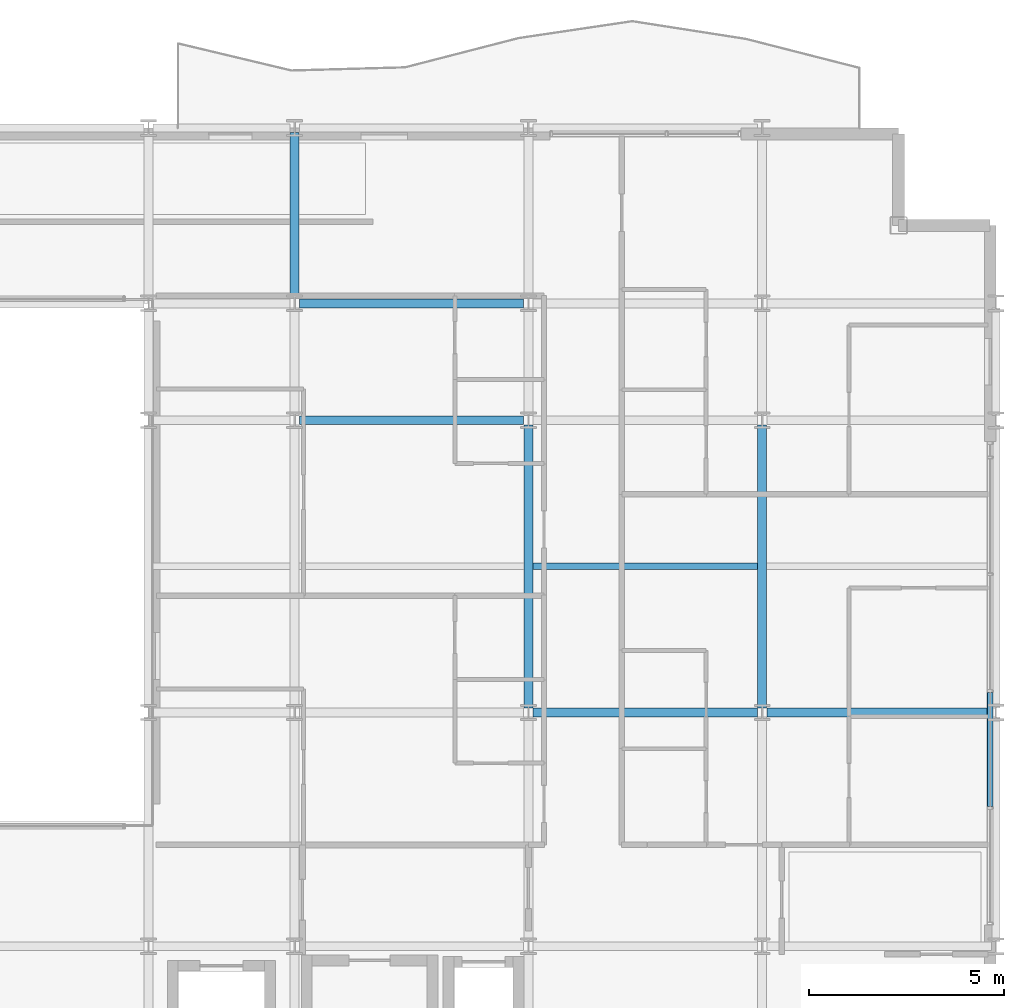
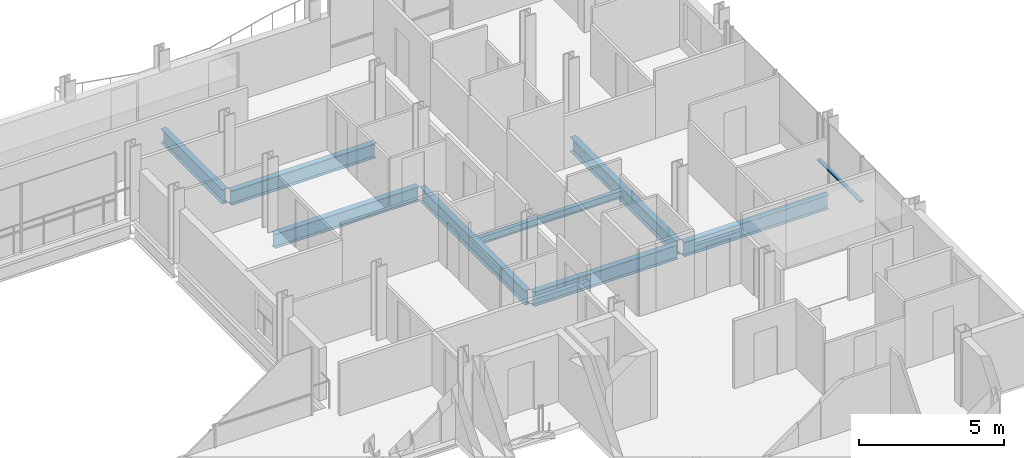
# One storey, part 18 of 40: 8 beams, 1 member, 1 element without a shape of its own.
"""IFC4 building model written with IfcOpenShell, lengths in metres."""

from ifc_helpers import new_model, si_unit, direction, frame, origin, origin_2d, place, context, subcontext, project, spatial, hollow_rectangle, i_section, extrude, material, layer, layer_set, material_profile, profile_set, type_object, element, aggregate, save


model = new_model("IFC4")

# Units and contexts
model_context = context("Model", 3, precision=1e-05, world=origin(), true_north=direction((0.0, 1.0)))
body_context = subcontext(model_context, "Body", "Model", "MODEL_VIEW")
ifc_project = project(units=[si_unit("LENGTHUNIT", "METRE"), si_unit("AREAUNIT", "SQUARE_METRE"), si_unit("VOLUMEUNIT", "CUBIC_METRE"), si_unit("PLANEANGLEUNIT", "RADIAN"), si_unit("MASSUNIT", "GRAM", prefix="KILO")], contexts=[model_context])

# Site, building, storey
site_placement = place(None, origin())
site = spatial("IfcSite", under=ifc_project, at=site_placement, CompositionType="ELEMENT")
building_placement = place(site_placement, origin())
building = spatial("IfcBuilding", under=site, at=building_placement, Name="Brevholm Reach", CompositionType="ELEMENT")
storey_placement = place(building_placement, frame((0.0, 0.0, 131.39990234375)))
storey = spatial("IfcBuildingStorey", under=building, at=storey_placement, Name="L39", CompositionType="ELEMENT", Elevation=131.39990234375)

# Beams
ifc_material_1 = material(Name="Structural Steel S355J2", Category="steel")
ifc_material_profile_1 = material_profile(ifc_material_1, i_section(OverallWidth=0.1650390625, OverallDepth=0.303466796875, WebThickness=0.006103515625, FlangeThickness=0.01025390625, FilletRadius=0.0087890625, at=origin_2d()), Name="UKB 305x165x40")
ifc_profile_set_1 = profile_set([ifc_material_profile_1], Name="Structural Steel S355J2")
beam_type_1 = type_object("IfcBeamType", Name="BM-B305", PredefinedType="BEAM", material=ifc_profile_set_1)
beam_1_placement = place(storey_placement, frame((48.114501953125, 19.75, -0.37158203125), z_axis=(1.0, 0.0, 0.0), x_axis=(0.0, 1.0, 0.0)))
element("IfcBeam", 1, at=beam_1_placement, inside=storey, type_object=beam_type_1, Name="L39 Composite Secondary Floor Beam", PredefinedType="BEAM", context=body_context, shape_type="SweptSolid", body=[
    extrude(i_section(OverallWidth=0.1650390625, OverallDepth=0.303466796875, WebThickness=0.006103515625, FlangeThickness=0.01025390625, FilletRadius=0.0087890625, at=origin_2d()), origin(), (0.0, 0.0, 1.0), 5.77099609375),
])
ifc_material_2 = material(Name="Structural Steel S355J2", Category="steel")
ifc_material_profile_2 = material_profile(ifc_material_2, i_section(OverallWidth=0.22900390625, OverallDepth=0.6123046875, WebThickness=0.011962890625, FlangeThickness=0.01953125, FilletRadius=0.0126953125, at=origin_2d()), Name="UKB 610x229x125")
ifc_profile_set_2 = profile_set([ifc_material_profile_2], Name="Structural Steel S355J2")
beam_type_2 = type_object("IfcBeamType", Name="BM-SP610", PredefinedType="SPANDREL", material=ifc_profile_set_2)
for number, where, z_axis, x_axis, name in (
    (2, (48.1201171875, 16.0, -0.526123046875), (1.0, 0.0, 0.0), (0.0, 1.0, 0.0), "L39 SP-01 Framing Beam"),
    (3, (54.1201171875, 16.0, -0.526123046875), (1.0, 0.0, 0.0), (0.0, 1.0, 0.0), "L39 SP-01 Framing Beam"),
    (4, (42.1201171875, 23.5, -0.526123046875), (1.0, 0.0, 0.0), (0.0, 1.0, 0.0), "L39 SP-01 Framing Beam"),
    (5, (42.1201171875, 26.5, -0.526123046875), (1.0, 0.0, 0.0), (0.0, 1.0, 0.0), "L39 SP-01 Framing Beam"),
):
    element("IfcBeam", number, at=place(storey_placement, frame(where, z_axis=z_axis, x_axis=x_axis)), inside=storey, type_object=beam_type_2, Name=name, PredefinedType="SPANDREL", context=body_context, shape_type="SweptSolid", body=[
        extrude(i_section(OverallWidth=0.22900390625, OverallDepth=0.6123046875, WebThickness=0.011962890625, FlangeThickness=0.01953125, FilletRadius=0.0126953125, at=origin_2d()), origin(), (0.0, 0.0, 1.0), 5.759765625),
    ])
beam_2_placement = place(storey_placement, frame((42.0, 26.6201171875, -0.526123046875), z_axis=(0.0, 1.0, 0.0), x_axis=(-1.0, 0.0, 0.0)))
element("IfcBeam", 6, at=beam_2_placement, inside=storey, type_object=beam_type_2, Name="L39 SP-01 Framing Beam", PredefinedType="SPANDREL", context=body_context, shape_type="SweptSolid", body=[
    extrude(i_section(OverallWidth=0.22900390625, OverallDepth=0.6123046875, WebThickness=0.011962890625, FlangeThickness=0.01953125, FilletRadius=0.0126953125, at=origin_2d()), origin(), (0.0, 0.0, 1.0), 4.259765625),
])
for number, where, z_axis, x_axis, name in (
    (7, (48.0, 16.1201171875, -0.526123046875), (0.0, 1.0, 0.0), (-1.0, 0.0, 0.0), "L39 SP-01 Framing Beam"),
    (8, (54.0, 16.1201171875, -0.526123046875), (0.0, 1.0, 0.0), (-1.0, 0.0, 0.0), "L39 SP-01 Framing Beam"),
):
    element("IfcBeam", number, at=place(storey_placement, frame(where, z_axis=z_axis, x_axis=x_axis)), inside=storey, type_object=beam_type_2, Name=name, PredefinedType="SPANDREL", context=body_context, shape_type="SweptSolid", body=[
        extrude(i_section(OverallWidth=0.22900390625, OverallDepth=0.6123046875, WebThickness=0.011962890625, FlangeThickness=0.01953125, FilletRadius=0.0126953125, at=origin_2d()), origin(), (0.0, 0.0, 1.0), 7.259765625),
    ])

# Curtain wall, member
ifc_material_3 = material(Name="Dark Anodised Aluminium 6063-T6 and Solar-Control Glass", Category="aluminium")
ifc_layer = layer(ifc_material_3, 0.14990234375)
ifc_layer_set = layer_set([ifc_layer], Name="Dark Anodised Aluminium 6063-T6 and Solar-Control Glass")
curtain_wall_type = type_object("IfcCurtainWallType", Name="CW-01", PredefinedType="NOTDEFINED", material=ifc_layer_set)
curtain_wall_placement = place(storey_placement, origin())
curtain_wall = element("IfcCurtainWall", 9, at=curtain_wall_placement, inside=storey, type_object=curtain_wall_type, Name="L39 Curtain Wall CW-01", PredefinedType="NOTDEFINED")
ifc_material_4 = material(Name="Dark Anodised Aluminium 6063-T6", Category="aluminium")
ifc_material_profile_3 = material_profile(ifc_material_4, hollow_rectangle(XDim=0.06494140625, YDim=0.14990234375, WallThickness=0.0048828125, InnerFilletRadius=0.0048828125, OuterFilletRadius=0.010009765625, at=origin_2d()), Name="RHS 150x65x5")
ifc_profile_set_3 = profile_set([ifc_material_profile_3], Name="Dark Anodised Aluminium 6063-T6")
member_type = type_object("IfcMemberType", Name="CWT-150", PredefinedType="NOTDEFINED", material=ifc_profile_set_3)
member_placement = place(storey_placement, frame((59.85009765625, 13.58251953125, 0.900146484375), z_axis=(0.0, 1.0, 0.0), x_axis=(0.0, 0.0, 1.0)))
member = element("IfcMember", 10, at=member_placement, type_object=member_type, Name="CT-150 Transom 2.1", ObjectType="TRANSOM", PredefinedType="USERDEFINED", context=body_context, shape_type="SweptSolid", body=[
    extrude(hollow_rectangle(XDim=0.06494140625, YDim=0.14990234375, WallThickness=0.0048828125, InnerFilletRadius=0.0048828125, OuterFilletRadius=0.010009765625, at=origin_2d()), origin(), (0.0, 0.0, 1.0), 2.93505859375),
])
aggregate(curtain_wall, [member])

save(model, "model.ifc")
